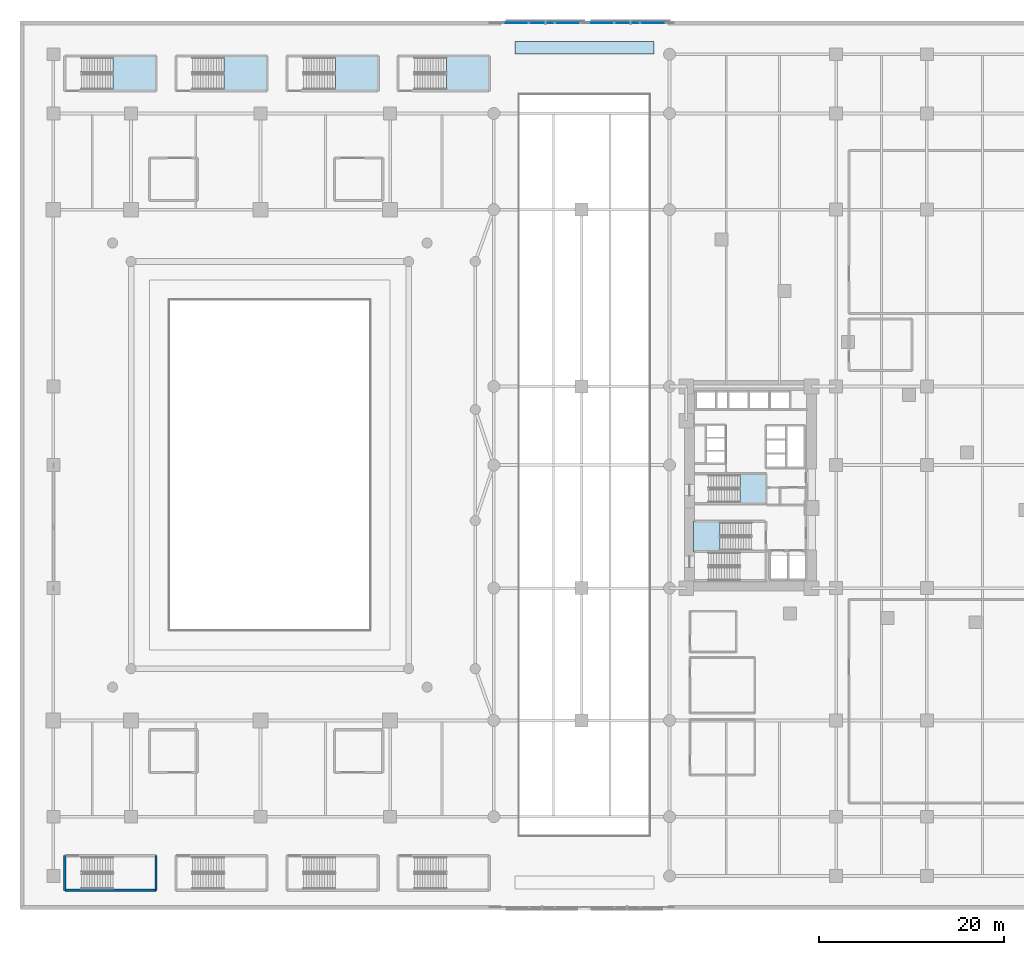
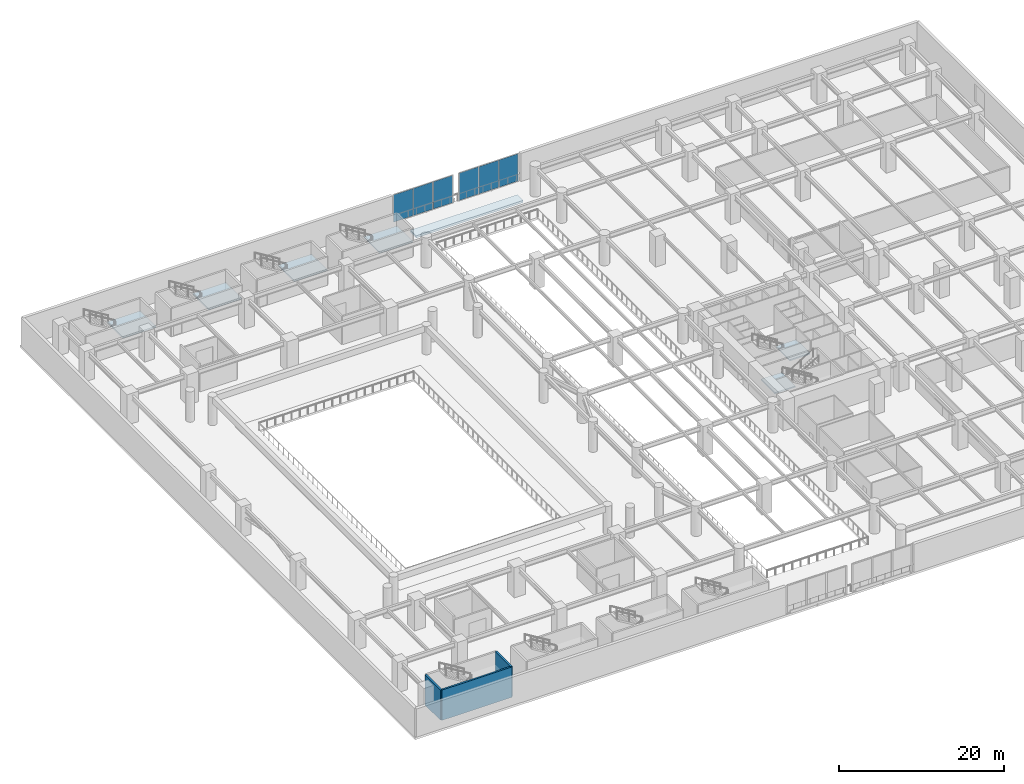
# One storey, part 11 of 32: 7 slabs, 6 plates, 3 walls, 8 elements without a shape of their own.
"""IFC4 building model written with IfcOpenShell, lengths in metres."""

from ifc_helpers import new_model, si_unit, direction, frame, frame_2d, origin, origin_2d, place, context, subcontext, project, spatial, polyline, rectangle, outline, extrude, material, layer, layer_set, type_object, element, aggregate, save


model = new_model("IFC4")

# Units and contexts
model_context = context("Model", 3, precision=1e-05, world=origin(), true_north=direction((0.0, 1.0)))
body_context = subcontext(model_context, "Body", "Model", "MODEL_VIEW")
ifc_project = project(units=[si_unit("LENGTHUNIT", "METRE"), si_unit("AREAUNIT", "SQUARE_METRE"), si_unit("VOLUMEUNIT", "CUBIC_METRE"), si_unit("PLANEANGLEUNIT", "RADIAN"), si_unit("MASSUNIT", "GRAM", prefix="KILO")], contexts=[model_context])

# Site, building, storey
site_placement = place(None, origin())
site = spatial("IfcSite", under=ifc_project, at=site_placement, CompositionType="ELEMENT")
building_placement = place(site_placement, origin())
building = spatial("IfcBuilding", under=site, at=building_placement, Name="Narakoshi Arena Tower", CompositionType="ELEMENT")
storey_placement = place(building_placement, frame((0.0, 0.0, 4.5)))
storey = spatial("IfcBuildingStorey", under=building, at=storey_placement, Name="L01", CompositionType="ELEMENT", Elevation=4.5)

# Curtain wall, plates
ifc_material_1 = material(Name="Anodised bronze aluminium 6063-T6", Category="aluminium")
curtain_wall_type = type_object("IfcCurtainWallType", Name="CW-POD-CONC", PredefinedType="NOTDEFINED", material=ifc_material_1)
curtain_wall_1_placement = place(storey_placement, origin())
curtain_wall_1 = element("IfcCurtainWall", 1, at=curtain_wall_1_placement, inside=storey, type_object=curtain_wall_type, Name="L01 Street Concourse Curtain Wall CN1", PredefinedType="NOTDEFINED")
ifc_material_2 = material(Name="Bronze-tinted low-E laminated glass", Category="glass")
ifc_layer_1 = layer(ifc_material_2, 0.031982421875)
ifc_layer_set_1 = layer_set([ifc_layer_1], Name="Bronze-tinted low-E laminated glass")
plate_type = type_object("IfcPlateType", Name="PLT-GLZ-32", PredefinedType="CURTAIN_PANEL", material=ifc_layer_set_1)
plate_1_placement = place(storey_placement, frame((68.3798828125, 95.7900390625, 0.070068359375), z_axis=(0.0, 0.0, 1.0), x_axis=(-1.0, 0.0, 0.0)))
plate_1 = element("IfcPlate", 2, at=plate_1_placement, type_object=plate_type, Name="CW-04 panel 1.1", PredefinedType="CURTAIN_PANEL", context=body_context, shape_type="SweptSolid", body=[
    extrude(rectangle(XDim=2.679931640625, YDim=0.031982421875, at=origin_2d()), origin(), (0.0, 0.0, 1.0), 4.0400390625),
])
plate_2_placement = place(storey_placement, frame((65.60009765625, 95.7900390625, 0.070068359375), z_axis=(0.0, 0.0, 1.0), x_axis=(-1.0, 0.0, 0.0)))
plate_2 = element("IfcPlate", 3, at=plate_2_placement, type_object=plate_type, Name="CW-04 panel 2.1", PredefinedType="CURTAIN_PANEL", context=body_context, shape_type="SweptSolid", body=[
    extrude(rectangle(XDim=2.719970703125, YDim=0.031982421875, at=origin_2d()), origin(), (0.0, 0.0, 1.0), 4.0400390625),
])
plate_3_placement = place(storey_placement, frame((62.820068359375, 95.7900390625, 0.070068359375), z_axis=(0.0, 0.0, 1.0), x_axis=(-1.0, 0.0, 0.0)))
plate_3 = element("IfcPlate", 4, at=plate_3_placement, type_object=plate_type, Name="CW-04 panel 3.1", PredefinedType="CURTAIN_PANEL", context=body_context, shape_type="SweptSolid", body=[
    extrude(rectangle(XDim=2.679931640625, YDim=0.031982421875, at=origin_2d()), origin(), (0.0, 0.0, 1.0), 4.0400390625),
])
aggregate(curtain_wall_1, [plate_1, plate_2, plate_3])

curtain_wall_2_placement = place(storey_placement, origin())
curtain_wall_2 = element("IfcCurtainWall", 5, at=curtain_wall_2_placement, inside=storey, type_object=curtain_wall_type, Name="L01 Street Concourse Curtain Wall CN2", PredefinedType="NOTDEFINED")
plate_4_placement = place(storey_placement, frame((59.179931640625, 95.7900390625, 0.070068359375), z_axis=(0.0, 0.0, 1.0), x_axis=(-1.0, 0.0, 0.0)))
plate_4 = element("IfcPlate", 6, at=plate_4_placement, type_object=plate_type, Name="CW-04 panel 1.1", PredefinedType="CURTAIN_PANEL", context=body_context, shape_type="SweptSolid", body=[
    extrude(rectangle(XDim=2.679931640625, YDim=0.031982421875, at=origin_2d()), origin(), (0.0, 0.0, 1.0), 4.0400390625),
])
plate_5_placement = place(storey_placement, frame((56.39990234375, 95.7900390625, 0.070068359375), z_axis=(0.0, 0.0, 1.0), x_axis=(-1.0, 0.0, 0.0)))
plate_5 = element("IfcPlate", 7, at=plate_5_placement, type_object=plate_type, Name="CW-04 panel 2.1", PredefinedType="CURTAIN_PANEL", context=body_context, shape_type="SweptSolid", body=[
    extrude(rectangle(XDim=2.719970703125, YDim=0.031982421875, at=origin_2d()), origin(), (0.0, 0.0, 1.0), 4.0400390625),
])
plate_6_placement = place(storey_placement, frame((53.6201171875, 95.7900390625, 0.070068359375), z_axis=(0.0, 0.0, 1.0), x_axis=(-1.0, 0.0, 0.0)))
plate_6 = element("IfcPlate", 8, at=plate_6_placement, type_object=plate_type, Name="CW-04 panel 3.1", PredefinedType="CURTAIN_PANEL", context=body_context, shape_type="SweptSolid", body=[
    extrude(rectangle(XDim=2.679931640625, YDim=0.031982421875, at=origin_2d()), origin(), (0.0, 0.0, 1.0), 4.0400390625),
])
aggregate(curtain_wall_2, [plate_4, plate_5, plate_6])

# Slab
ifc_material_3 = material(Name="Concrete C40/50", Category="concrete")
ifc_layer_2 = layer(ifc_material_3, 0.31494140625)
ifc_layer_set_2 = layer_set([ifc_layer_2], Name="Concrete C40/50")
slab_type_1 = type_object("IfcSlabType", Name="SLB-AROF-180", PredefinedType="ROOF", material=ifc_layer_set_2)
slab_1_placement = place(storey_placement, frame((0.0, 0.0, -0.64501953125)))
element("IfcSlab", 9, at=slab_1_placement, inside=storey, type_object=slab_type_1, Name="L01 Non-Accessible Concourse Soffit Canopy Deck N", PredefinedType="ROOF", context=body_context, shape_type="SweptSolid", body=[
    extrude(outline(polyline([(53.5, 92.39990234375), (68.5, 92.39990234375), (68.5, 93.800048828125), (53.5, 93.800048828125), (53.5, 92.39990234375)])), origin(), (0.0, 0.0, 1.0), 0.31494140625),
])

# Stair, slab
ifc_material_4 = material(Name="Concrete C45/55", Category="concrete")
stair_type_1 = type_object("IfcStairType", Name="STR-POD-450", PredefinedType="TWO_STRAIGHT_RUN_STAIR", material=ifc_material_4)
stair_1_placement = place(storey_placement, origin())
stair_1 = element("IfcStair", 10, at=stair_1_placement, inside=storey, type_object=stair_type_1, Name="L01 Core Escape Stair ST2", PredefinedType="TWO_STRAIGHT_RUN_STAIR")
ifc_layer_3 = layer(ifc_material_4, 0.18994140625)
ifc_layer_set_3 = layer_set([ifc_layer_3], Name="Concrete C45/55")
slab_type_2 = type_object("IfcSlabType", Name="SLB-LND-190", PredefinedType="LANDING", material=ifc_layer_set_3)
slab_2_placement = place(storey_placement, frame((0.0, 0.0, 2.06005859375)))
slab_2 = element("IfcSlab", 11, at=slab_2_placement, type_object=slab_type_2, Name="ST2 landing 1", PredefinedType="LANDING", context=body_context, shape_type="SweptSolid", body=[
    extrude(outline(polyline([(72.77001953125, 38.6201171875), (75.6298828125, 38.6201171875), (75.6298828125, 41.97998046875), (72.77001953125, 41.97998046875), (72.77001953125, 38.6201171875)])), origin(), (0.0, 0.0, 1.0), 0.18994140625),
])
aggregate(stair_1, [slab_2])

stair_2_placement = place(storey_placement, origin())
stair_2 = element("IfcStair", 12, at=stair_2_placement, inside=storey, type_object=stair_type_1, Name="L01 Core Escape Stair ST3", PredefinedType="TWO_STRAIGHT_RUN_STAIR")
slab_3_placement = place(storey_placement, frame((0.0, 0.0, 2.06005859375)))
slab_3 = element("IfcSlab", 13, at=slab_3_placement, type_object=slab_type_2, Name="ST3 landing 1", PredefinedType="LANDING", context=body_context, shape_type="SweptSolid", body=[
    extrude(outline(polyline([(77.820068359375, 43.77001953125), (80.679931640625, 43.77001953125), (80.679931640625, 47.1298828125), (77.820068359375, 47.1298828125), (77.820068359375, 43.77001953125)])), origin(), (0.0, 0.0, 1.0), 0.18994140625),
])
aggregate(stair_2, [slab_3])

stair_type_2 = type_object("IfcStairType", Name="STR-ARN-2400", PredefinedType="TWO_STRAIGHT_RUN_STAIR", material=ifc_material_4)
stair_3_placement = place(storey_placement, origin())
stair_3 = element("IfcStair", 14, at=stair_3_placement, inside=storey, type_object=stair_type_2, Name="L01 Arena Crowd Escape Stair AST5", PredefinedType="TWO_STRAIGHT_RUN_STAIR")
slab_4_placement = place(storey_placement, frame((0.0, 0.0, 2.06005859375)))
slab_4 = element("IfcSlab", 15, at=slab_4_placement, type_object=slab_type_2, Name="AST5 landing 1", PredefinedType="LANDING", context=body_context, shape_type="SweptSolid", body=[
    extrude(outline(polyline([(10.070068359375, 88.419921875), (14.72998046875, 88.419921875), (14.72998046875, 92.22998046875), (10.070068359375, 92.22998046875), (10.070068359375, 88.419921875)])), origin(), (0.0, 0.0, 1.0), 0.18994140625),
])
aggregate(stair_3, [slab_4])

stair_4_placement = place(storey_placement, origin())
stair_4 = element("IfcStair", 16, at=stair_4_placement, inside=storey, type_object=stair_type_2, Name="L01 Arena Crowd Escape Stair AST6", PredefinedType="TWO_STRAIGHT_RUN_STAIR")
slab_5_placement = place(storey_placement, frame((0.0, 0.0, 2.06005859375)))
slab_5 = element("IfcSlab", 17, at=slab_5_placement, type_object=slab_type_2, Name="AST6 landing 1", PredefinedType="LANDING", context=body_context, shape_type="SweptSolid", body=[
    extrude(outline(polyline([(22.070068359375, 88.419921875), (26.72998046875, 88.419921875), (26.72998046875, 92.22998046875), (22.070068359375, 92.22998046875), (22.070068359375, 88.419921875)])), origin(), (0.0, 0.0, 1.0), 0.18994140625),
])
aggregate(stair_4, [slab_5])

stair_5_placement = place(storey_placement, origin())
stair_5 = element("IfcStair", 18, at=stair_5_placement, inside=storey, type_object=stair_type_2, Name="L01 Arena Crowd Escape Stair AST7", PredefinedType="TWO_STRAIGHT_RUN_STAIR")
slab_6_placement = place(storey_placement, frame((0.0, 0.0, 2.06005859375)))
slab_6 = element("IfcSlab", 19, at=slab_6_placement, type_object=slab_type_2, Name="AST7 landing 1", PredefinedType="LANDING", context=body_context, shape_type="SweptSolid", body=[
    extrude(outline(polyline([(34.070068359375, 88.419921875), (38.72998046875, 88.419921875), (38.72998046875, 92.22998046875), (34.070068359375, 92.22998046875), (34.070068359375, 88.419921875)])), origin(), (0.0, 0.0, 1.0), 0.18994140625),
])
aggregate(stair_5, [slab_6])

stair_6_placement = place(storey_placement, origin())
stair_6 = element("IfcStair", 20, at=stair_6_placement, inside=storey, type_object=stair_type_2, Name="L01 Arena Crowd Escape Stair AST8", PredefinedType="TWO_STRAIGHT_RUN_STAIR")
slab_7_placement = place(storey_placement, frame((0.0, 0.0, 2.06005859375)))
slab_7 = element("IfcSlab", 21, at=slab_7_placement, type_object=slab_type_2, Name="AST8 landing 1", PredefinedType="LANDING", context=body_context, shape_type="SweptSolid", body=[
    extrude(outline(polyline([(46.070068359375, 88.419921875), (50.72998046875, 88.419921875), (50.72998046875, 92.22998046875), (46.070068359375, 92.22998046875), (46.070068359375, 88.419921875)])), origin(), (0.0, 0.0, 1.0), 0.18994140625),
])
aggregate(stair_6, [slab_7])

# Walls
ifc_material_5 = material(Name="Concrete C50/60", Category="concrete")
ifc_layer_4 = layer(ifc_material_5, 0.35009765625)
ifc_layer_set_4 = layer_set([ifc_layer_4], Name="Concrete C50/60")
wall_type = type_object("IfcWallType", Name="WL-SHAFT-350", PredefinedType="SOLIDWALL", material=ifc_layer_set_4)
for number, where, z_axis, x_axis, name in (
    (22, (4.85009765625, 2.050048828125, -0.320068359375), (0.0, 0.0, 1.0), (0.0, 1.0, 0.0), "L01 AST1 Enclosure Wall W"),
    (23, (14.699951171875, 2.050048828125, -0.320068359375), (0.0, 0.0, 1.0), (0.0, 1.0, 0.0), "L01 AST1 Enclosure Wall E"),
):
    element("IfcWall", number, at=place(storey_placement, frame(where, z_axis=z_axis, x_axis=x_axis)), inside=storey, type_object=wall_type, Name=name, PredefinedType="SOLIDWALL", context=body_context, shape_type="SweptSolid", body=[
        extrude(rectangle(XDim=3.75, YDim=0.25, at=frame_2d((1.875, 0.0))), origin(), (0.0, 0.0, 1.0), 4.5),
    ])
wall_placement = place(storey_placement, frame((4.85009765625, 2.050048828125, -0.320068359375), z_axis=(0.0, 0.0, 1.0), x_axis=(1.0, 0.0, 0.0)))
element("IfcWall", 24, at=wall_placement, inside=storey, type_object=wall_type, Name="L01 AST1 Enclosure Wall B", PredefinedType="SOLIDWALL", context=body_context, shape_type="SweptSolid", body=[
    extrude(rectangle(XDim=9.849853515625, YDim=0.25, at=frame_2d((4.9248046875, 0.0))), origin(), (0.0, 0.0, 1.0), 4.5),
])

save(model, "model.ifc")
